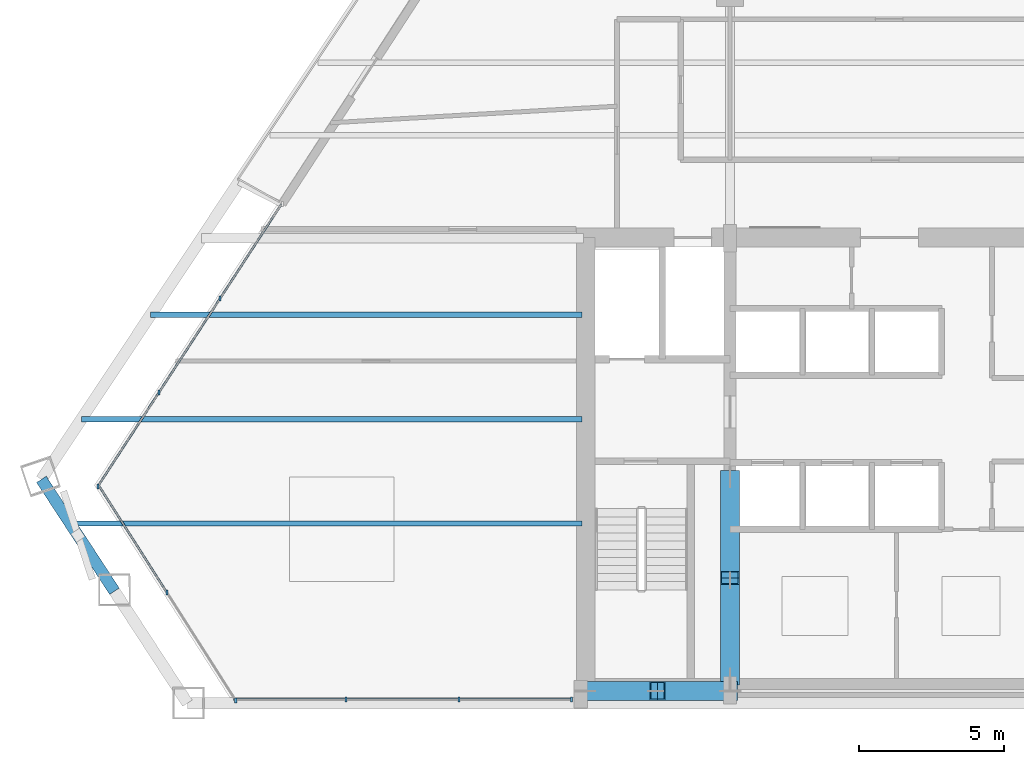
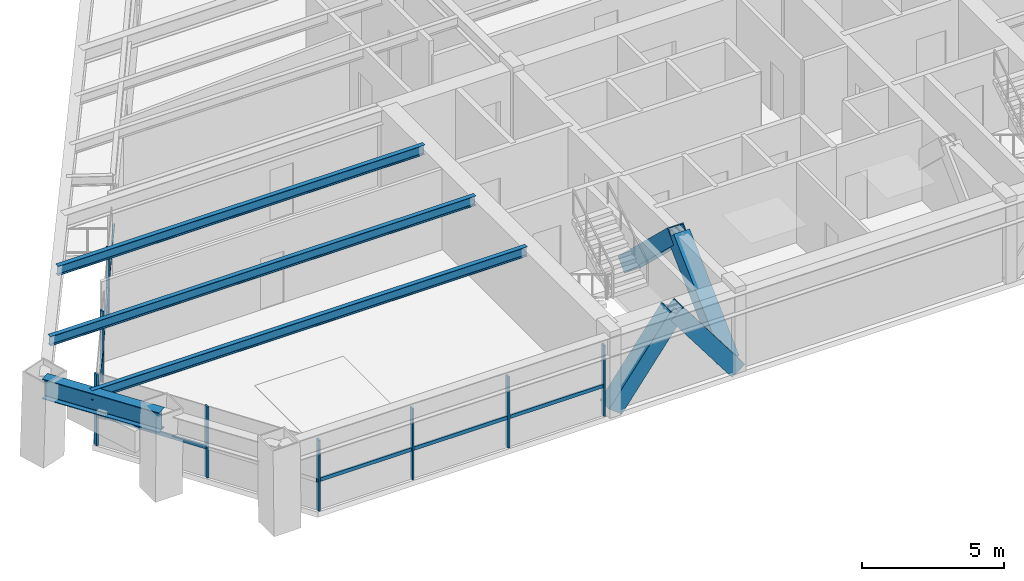
# One storey, part 2 of 15: 19 members, 4 beams, 3 elements without a shape of their own.
"""IFC4 building model written with IfcOpenShell, lengths in metres."""

from ifc_helpers import new_model, si_unit, direction, frame, origin, origin_2d, place, context, subcontext, project, spatial, rectangle, hollow_rectangle, i_section, extrude, source, transform, mapped, material, material_profile, profile_set, type_object, element, aggregate, save


model = new_model("IFC4")

# Units and contexts
model_context = context("Model", 3, precision=1e-05, world=origin(), true_north=direction((0.0, 1.0)))
body_context = subcontext(model_context, "Body", "Model", "MODEL_VIEW")
ifc_project = project(units=[si_unit("LENGTHUNIT", "METRE"), si_unit("AREAUNIT", "SQUARE_METRE"), si_unit("VOLUMEUNIT", "CUBIC_METRE"), si_unit("PLANEANGLEUNIT", "RADIAN"), si_unit("MASSUNIT", "GRAM", prefix="KILO")], contexts=[model_context])

# Site, building, storey
site_placement = place(None, origin())
site = spatial("IfcSite", under=ifc_project, at=site_placement, CompositionType="ELEMENT")
building_placement = place(site_placement, origin())
building = spatial("IfcBuilding", under=site, at=building_placement, Name="Varnakhor Terracotta Tower", CompositionType="ELEMENT")
storey_placement = place(building_placement, frame((0.0, 0.0, 140.39990234375)))
storey = spatial("IfcBuildingStorey", under=building, at=storey_placement, Name="L35", CompositionType="ELEMENT", Elevation=140.39990234375)

# Members
ifc_material_1 = material(Name="Steel S460", Category="steel")
ifc_material_profile_1 = material_profile(ifc_material_1, hollow_rectangle(XDim=0.64990234375, YDim=0.64990234375, WallThickness=0.0400390625, at=origin_2d()), Name="HSS650X650X40")
ifc_profile_set_1 = profile_set([ifc_material_profile_1], Name="Steel S460")
member_type_1 = type_object("IfcMemberType", Name="MBR-MEGA-650", PredefinedType="BRACE", material=ifc_profile_set_1)
shared_shape_1 = source(origin(), body_context, "Body", "SweptSolid", [
    extrude(hollow_rectangle(XDim=0.64990234375, YDim=0.64990234375, WallThickness=0.0400390625, at=origin_2d()), origin(), (0.0, 0.0, 1.0), 4.805908203125),
])
member_1_placement = place(storey_placement, frame((-5.5, 0.85009765625, 0.0), z_axis=(0.0, 0.723026776832, 0.69082000549), x_axis=(-1.0, 0.0, 0.0)))
element("IfcMember", 1, at=member_1_placement, inside=storey, type_object=member_type_1, Name="L35 Core Coupled Brace CWWA", PredefinedType="BRACE", context=body_context, shape_type="MappedRepresentation", body=[
    mapped(shared_shape_1, transform((0.0, 0.0, 0.0), scale=1.0)),
])
shared_shape_2 = source(origin(), body_context, "Body", "SweptSolid", [
    extrude(hollow_rectangle(XDim=0.64990234375, YDim=0.64990234375, WallThickness=0.0400390625, at=origin_2d()), origin(), (0.0, 0.0, 1.0), 4.156005859375),
])
for number, where, z_axis, x_axis, name in (
    (2, (-10.5, 0.419921875, 0.0), (0.601530923869, 0.0, 0.798849515009), (0.0, 1.0, 0.0), "L35 Core Coupled Brace CSWA"),
    (3, (-5.5, 0.419921875, 0.0), (-0.601530923869, 0.0, 0.798849515009), (0.0, -1.0, 0.0), "L35 Core Coupled Brace CSWB"),
):
    element("IfcMember", number, at=place(storey_placement, frame(where, z_axis=z_axis, x_axis=x_axis)), inside=storey, type_object=member_type_1, Name=name, PredefinedType="BRACE", context=body_context, shape_type="MappedRepresentation", body=[
        mapped(shared_shape_2, transform((0.0, 0.0, 0.0), scale=1.0)),
    ])
shared_shape_3 = source(origin(), body_context, "Body", "SweptSolid", [
    extrude(hollow_rectangle(XDim=0.64990234375, YDim=0.64990234375, WallThickness=0.0400390625, at=origin_2d()), origin(), (0.0, 0.0, 1.0), 4.80615234375),
])
member_2_placement = place(storey_placement, frame((-5.5, 7.800048828125, 0.0), z_axis=(0.0, -0.723051018573, 0.690794632681), x_axis=(1.0, 0.0, 0.0)))
element("IfcMember", 4, at=member_2_placement, inside=storey, type_object=member_type_1, Name="L35 Core Coupled Brace CWWB", PredefinedType="BRACE", context=body_context, shape_type="MappedRepresentation", body=[
    mapped(shared_shape_3, transform((0.0, 0.0, 0.0), scale=1.0)),
])

# Beams
ifc_material_2 = material(Name="Steel S355", Category="steel")
ifc_material_profile_2 = material_profile(ifc_material_2, i_section(OverallWidth=0.39990234375, OverallDepth=0.85498046875, WebThickness=0.01806640625, FlangeThickness=0.029052734375, FilletRadius=0.01806640625, at=origin_2d()), Name="W33X201")
ifc_profile_set_2 = profile_set([ifc_material_profile_2], Name="Steel S355")
beam_type_1 = type_object("IfcBeamType", Name="BM-W33X201", PredefinedType="BEAM", material=ifc_profile_set_2)
shared_shape_4 = source(origin(), body_context, "Body", "SweptSolid", [
    extrude(i_section(OverallWidth=0.39990234375, OverallDepth=0.85498046875, WebThickness=0.01806640625, FlangeThickness=0.029052734375, FilletRadius=0.01806640625, at=origin_2d()), origin(), (0.0, 0.0, 1.0), 4.611328125),
])
beam_1_placement = place(storey_placement, frame((-29.26220703125, 7.722900390625, 3.04248046875), z_axis=(0.546647250407, -0.837362993941, 0.0), x_axis=(0.837362993941, 0.546647250407, 0.0)))
element("IfcBeam", 5, at=beam_1_placement, inside=storey, type_object=beam_type_1, Name="L35 Perimeter Spandrel 7", PredefinedType="BEAM", context=body_context, shape_type="MappedRepresentation", body=[
    mapped(shared_shape_4, transform((0.0, 0.0, 0.0), scale=1.0)),
])
ifc_material_profile_3 = material_profile(ifc_material_2, i_section(OverallWidth=0.179931640625, OverallDepth=0.4130859375, WebThickness=0.009765625, FlangeThickness=0.01611328125, FilletRadius=0.01806640625, at=origin_2d()), Name="W16X50")
ifc_profile_set_3 = profile_set([ifc_material_profile_3], Name="Steel S355")
beam_type_2 = type_object("IfcBeamType", Name="JST-W16X50", PredefinedType="JOIST", material=ifc_profile_set_3)
shared_shape_5 = source(origin(), body_context, "Body", "SweptSolid", [
    extrude(i_section(OverallWidth=0.179931640625, OverallDepth=0.4130859375, WebThickness=0.009765625, FlangeThickness=0.01611328125, FilletRadius=0.01806640625, at=origin_2d()), origin(), (0.0, 0.0, 1.0), 17.66796875),
])
beam_2_placement = place(storey_placement, frame((-28.26806640625, 6.199951171875, 3.263671875), z_axis=(1.0, 0.0, 0.0), x_axis=(0.0, 1.0, 0.0)))
element("IfcBeam", 6, at=beam_2_placement, inside=storey, type_object=beam_type_2, Name="L35 Floor Joist W1", PredefinedType="JOIST", context=body_context, shape_type="MappedRepresentation", body=[
    mapped(shared_shape_5, transform((0.0, 0.0, 0.0), scale=1.0)),
])
shared_shape_6 = source(origin(), body_context, "Body", "SweptSolid", [
    extrude(i_section(OverallWidth=0.179931640625, OverallDepth=0.4130859375, WebThickness=0.009765625, FlangeThickness=0.01611328125, FilletRadius=0.01806640625, at=origin_2d()), origin(), (0.0, 0.0, 1.0), 17.283203125),
])
beam_3_placement = place(storey_placement, frame((-27.88330078125, 9.800048828125, 3.263671875), z_axis=(1.0, 0.0, 0.0), x_axis=(0.0, 1.0, 0.0)))
element("IfcBeam", 7, at=beam_3_placement, inside=storey, type_object=beam_type_2, Name="L35 Floor Joist W2", PredefinedType="JOIST", context=body_context, shape_type="MappedRepresentation", body=[
    mapped(shared_shape_6, transform((0.0, 0.0, 0.0), scale=1.0)),
])
shared_shape_7 = source(origin(), body_context, "Body", "SweptSolid", [
    extrude(i_section(OverallWidth=0.179931640625, OverallDepth=0.4130859375, WebThickness=0.009765625, FlangeThickness=0.01611328125, FilletRadius=0.01806640625, at=origin_2d()), origin(), (0.0, 0.0, 1.0), 14.893798828125),
])
beam_4_placement = place(storey_placement, frame((-25.493896484375, 13.39990234375, 3.263671875), z_axis=(1.0, 0.0, 0.0), x_axis=(0.0, 1.0, 0.0)))
element("IfcBeam", 8, at=beam_4_placement, inside=storey, type_object=beam_type_2, Name="L35 Floor Joist W3", PredefinedType="JOIST", context=body_context, shape_type="MappedRepresentation", body=[
    mapped(shared_shape_7, transform((0.0, 0.0, 0.0), scale=1.0)),
])

# Curtain wall, members
ifc_material_3 = material(Name="Anodised Aluminium Curtain Wall System", Category="aluminium")
curtain_wall_type = type_object("IfcCurtainWallType", Name="CW-SYS-MID-OFFICE", PredefinedType="NOTDEFINED", material=ifc_material_3)
curtain_wall_1_placement = place(storey_placement, origin())
curtain_wall_1 = element("IfcCurtainWall", 9, at=curtain_wall_1_placement, inside=storey, type_object=curtain_wall_type, Name="L35 W Facet Curtain Wall 1", PredefinedType="NOTDEFINED")
ifc_material_4 = material(Name="Anodised Aluminium 6063-T6", Category="aluminium")
ifc_material_profile_4 = material_profile(ifc_material_4, rectangle(XDim=0.070068359375, YDim=0.175048828125, at=origin_2d()), Name="ALU MULLION 70x175")
ifc_profile_set_4 = profile_set([ifc_material_profile_4], Name="Anodised Aluminium 6063-T6")
member_type_2 = type_object("IfcMemberType", Name="CWM-03", PredefinedType="MULLION", material=ifc_profile_set_4)
shared_shape_8 = source(origin(), body_context, "Body", "SweptSolid", [
    extrude(rectangle(XDim=0.070068359375, YDim=0.175048828125, at=origin_2d()), origin(), (0.0, 0.0, 1.0), 3.050048828125),
])
member_3_placement = place(storey_placement, frame((-27.3154296875, 7.479736328125, 0.0), z_axis=(0.0, 0.0, 1.0), x_axis=(1.0, 0.0, 0.0)))
member_3 = element("IfcMember", 10, at=member_3_placement, type_object=member_type_2, Name="L35 W Facet Curtain Wall 1 Mullion 1", PredefinedType="MULLION", context=body_context, shape_type="MappedRepresentation", body=[
    mapped(shared_shape_8, transform((0.0, 0.0, 0.0), scale=1.0)),
])
member_4_placement = place(storey_placement, frame((-25.203857421875, 10.72509765625, 0.0), z_axis=(0.0, 0.0, 1.0), x_axis=(1.0, 0.0, 0.0)))
member_4 = element("IfcMember", 11, at=member_4_placement, type_object=member_type_2, Name="L35 W Facet Curtain Wall 1 Mullion 2", PredefinedType="MULLION", context=body_context, shape_type="MappedRepresentation", body=[
    mapped(shared_shape_8, transform((0.0, 0.0, 0.0), scale=1.0)),
])
member_5_placement = place(storey_placement, frame((-23.092529296875, 13.97021484375, 0.0), z_axis=(0.0, 0.0, 1.0), x_axis=(1.0, 0.0, 0.0)))
member_5 = element("IfcMember", 12, at=member_5_placement, type_object=member_type_2, Name="L35 W Facet Curtain Wall 1 Mullion 3", PredefinedType="MULLION", context=body_context, shape_type="MappedRepresentation", body=[
    mapped(shared_shape_8, transform((0.0, 0.0, 0.0), scale=1.0)),
])

curtain_wall_2_placement = place(storey_placement, origin())
curtain_wall_2 = element("IfcCurtainWall", 13, at=curtain_wall_2_placement, inside=storey, type_object=curtain_wall_type, Name="L35 South Wing Curtain Wall SSW", PredefinedType="NOTDEFINED")
member_6_placement = place(storey_placement, frame((-10.969970703125, 0.1201171875, 0.0), z_axis=(0.0, 0.0, 1.0), x_axis=(1.0, 0.0, 0.0)))
member_6 = element("IfcMember", 14, at=member_6_placement, type_object=member_type_2, Name="L35 South Wing Curtain Wall SSW Mullion 1", PredefinedType="MULLION", context=body_context, shape_type="MappedRepresentation", body=[
    mapped(shared_shape_8, transform((0.0, 0.0, 0.0), scale=1.0)),
])
member_7_placement = place(storey_placement, frame((-14.856689453125, 0.1201171875, 0.0), z_axis=(0.0, 0.0, 1.0), x_axis=(1.0, 0.0, 0.0)))
member_7 = element("IfcMember", 15, at=member_7_placement, type_object=member_type_2, Name="L35 South Wing Curtain Wall SSW Mullion 2", PredefinedType="MULLION", context=body_context, shape_type="MappedRepresentation", body=[
    mapped(shared_shape_8, transform((0.0, 0.0, 0.0), scale=1.0)),
])
member_8_placement = place(storey_placement, frame((-18.743408203125, 0.1201171875, 0.0), z_axis=(0.0, 0.0, 1.0), x_axis=(1.0, 0.0, 0.0)))
member_8 = element("IfcMember", 16, at=member_8_placement, type_object=member_type_2, Name="L35 South Wing Curtain Wall SSW Mullion 3", PredefinedType="MULLION", context=body_context, shape_type="MappedRepresentation", body=[
    mapped(shared_shape_8, transform((0.0, 0.0, 0.0), scale=1.0)),
])

curtain_wall_3_placement = place(storey_placement, origin())
curtain_wall_3 = element("IfcCurtainWall", 17, at=curtain_wall_3_placement, inside=storey, type_object=curtain_wall_type, Name="L35 Facet Curtain Wall 6", PredefinedType="NOTDEFINED")
member_9_placement = place(storey_placement, frame((-22.55517578125, 0.08984375, 0.0), z_axis=(0.0, 0.0, 1.0), x_axis=(1.0, 0.0, 0.0)))
member_9 = element("IfcMember", 18, at=member_9_placement, type_object=member_type_2, Name="L35 Facet Curtain Wall 6 Mullion 1", PredefinedType="MULLION", context=body_context, shape_type="MappedRepresentation", body=[
    mapped(shared_shape_8, transform((0.0, 0.0, 0.0), scale=1.0)),
])
member_10_placement = place(storey_placement, frame((-24.93505859375, 3.824462890625, 0.0), z_axis=(0.0, 0.0, 1.0), x_axis=(1.0, 0.0, 0.0)))
member_10 = element("IfcMember", 19, at=member_10_placement, type_object=member_type_2, Name="L35 Facet Curtain Wall 6 Mullion 2", PredefinedType="MULLION", context=body_context, shape_type="MappedRepresentation", body=[
    mapped(shared_shape_8, transform((0.0, 0.0, 0.0), scale=1.0)),
])

# Member
ifc_material_profile_5 = material_profile(ifc_material_4, rectangle(XDim=0.070068359375, YDim=0.155029296875, at=origin_2d()), Name="ALU TRANSOM 70x155")
ifc_profile_set_5 = profile_set([ifc_material_profile_5], Name="Anodised Aluminium 6063-T6")
member_type_3 = type_object("IfcMemberType", Name="CWT-03", PredefinedType="USERDEFINED", material=ifc_profile_set_5)
shared_shape_9 = source(origin(), body_context, "Body", "SweptSolid", [
    extrude(rectangle(XDim=0.070068359375, YDim=0.155029296875, at=origin_2d()), origin(), (0.0, 0.0, 1.0), 3.871826171875),
])
member_11_placement = place(storey_placement, frame((-27.3154296875, 7.479736328125, 1.281005859375), z_axis=(0.545367293016, 0.838197181878, 0.0), x_axis=(-0.838197181878, 0.545367293016, 0.0)))
member_11 = element("IfcMember", 20, at=member_11_placement, type_object=member_type_3, Name="L35 W Facet Curtain Wall 1 Transom 1", ObjectType="TRANSOM", PredefinedType="USERDEFINED", context=body_context, shape_type="MappedRepresentation", body=[
    mapped(shared_shape_9, transform((0.0, 0.0, 0.0), scale=1.0)),
])

shared_shape_10 = source(origin(), body_context, "Body", "SweptSolid", [
    extrude(rectangle(XDim=0.070068359375, YDim=0.155029296875, at=origin_2d()), origin(), (0.0, 0.0, 1.0), 3.87158203125),
])
member_12_placement = place(storey_placement, frame((-25.203857421875, 10.72509765625, 1.281005859375), z_axis=(0.545351814644, 0.838207252572, 0.0), x_axis=(-0.838207252572, 0.545351814644, 0.0)))
member_12 = element("IfcMember", 21, at=member_12_placement, type_object=member_type_3, Name="L35 W Facet Curtain Wall 1 Transom 2", ObjectType="TRANSOM", PredefinedType="USERDEFINED", context=body_context, shape_type="MappedRepresentation", body=[
    mapped(shared_shape_10, transform((0.0, 0.0, 0.0), scale=1.0)),
])

member_13_placement = place(storey_placement, frame((-23.092529296875, 13.97021484375, 1.281005859375), z_axis=(0.545396118498, 0.838178426069, 0.0), x_axis=(-0.838178426069, 0.545396118498, 0.0)))
member_13 = element("IfcMember", 22, at=member_13_placement, type_object=member_type_3, Name="L35 W Facet Curtain Wall 1 Transom 3", ObjectType="TRANSOM", PredefinedType="USERDEFINED", context=body_context, shape_type="MappedRepresentation", body=[
    mapped(shared_shape_10, transform((0.0, 0.0, 0.0), scale=1.0)),
])

aggregate(curtain_wall_1, [member_3, member_11, member_4, member_12, member_5, member_13])

shared_shape_11 = source(origin(), body_context, "Body", "SweptSolid", [
    extrude(rectangle(XDim=0.070068359375, YDim=0.155029296875, at=origin_2d()), origin(), (0.0, 0.0, 1.0), 3.88671875),
])
member_14_placement = place(storey_placement, frame((-10.969970703125, 0.1201171875, 1.281005859375), z_axis=(-1.0, 0.0, 0.0), x_axis=(0.0, -1.0, 0.0)))
member_14 = element("IfcMember", 23, at=member_14_placement, type_object=member_type_3, Name="L35 South Wing Curtain Wall SSW Transom 1", ObjectType="TRANSOM", PredefinedType="USERDEFINED", context=body_context, shape_type="MappedRepresentation", body=[
    mapped(shared_shape_11, transform((0.0, 0.0, 0.0), scale=1.0)),
])

member_15_placement = place(storey_placement, frame((-14.856689453125, 0.1201171875, 1.281005859375), z_axis=(-1.0, 0.0, 0.0), x_axis=(0.0, -1.0, 0.0)))
member_15 = element("IfcMember", 24, at=member_15_placement, type_object=member_type_3, Name="L35 South Wing Curtain Wall SSW Transom 2", ObjectType="TRANSOM", PredefinedType="USERDEFINED", context=body_context, shape_type="MappedRepresentation", body=[
    mapped(shared_shape_11, transform((0.0, 0.0, 0.0), scale=1.0)),
])

member_16_placement = place(storey_placement, frame((-18.743408203125, 0.1201171875, 1.281005859375), z_axis=(-1.0, 0.0, 0.0), x_axis=(0.0, -1.0, 0.0)))
member_16 = element("IfcMember", 25, at=member_16_placement, type_object=member_type_3, Name="L35 South Wing Curtain Wall SSW Transom 3", ObjectType="TRANSOM", PredefinedType="USERDEFINED", context=body_context, shape_type="MappedRepresentation", body=[
    mapped(shared_shape_11, transform((0.0, 0.0, 0.0), scale=1.0)),
])

aggregate(curtain_wall_2, [member_6, member_14, member_7, member_15, member_8, member_16])

shared_shape_12 = source(origin(), body_context, "Body", "SweptSolid", [
    extrude(rectangle(XDim=0.070068359375, YDim=0.155029296875, at=origin_2d()), origin(), (0.0, 0.0, 1.0), 4.4287109375),
])
member_17_placement = place(storey_placement, frame((-24.93505859375, 3.824462890625, 1.281005859375), z_axis=(-0.537381918976, 0.843339002512, 0.0), x_axis=(-0.843339002512, -0.537381918976, 0.0)))
member_17 = element("IfcMember", 26, at=member_17_placement, type_object=member_type_3, Name="L35 Facet Curtain Wall 6 Transom 2", ObjectType="TRANSOM", PredefinedType="USERDEFINED", context=body_context, shape_type="MappedRepresentation", body=[
    mapped(shared_shape_12, transform((0.0, 0.0, 0.0), scale=1.0)),
])

aggregate(curtain_wall_3, [member_9, member_10, member_17])

save(model, "model.ifc")
